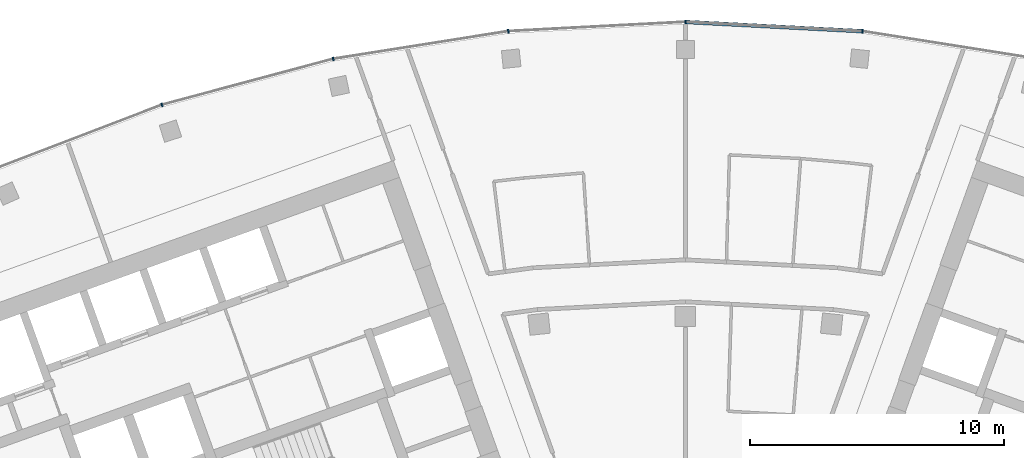
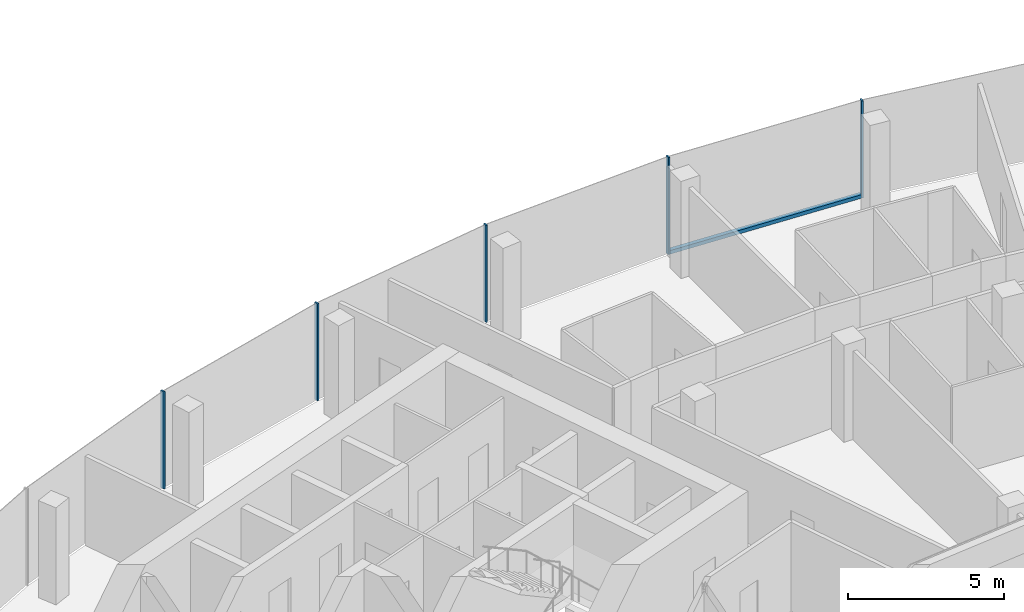
# One storey, part 6 of 18: 6 members, 1 element without a shape of its own.
"""IFC4 building model written with IfcOpenShell, lengths in metres."""

from ifc_helpers import new_model, si_unit, direction, frame, origin, origin_2d, place, context, subcontext, project, spatial, rectangle, extrude, material, layer, layer_set, material_profile, profile_set, type_object, element, aggregate, save


model = new_model("IFC4")

# Units and contexts
model_context = context("Model", 3, precision=1e-05, world=origin(), true_north=direction((0.0, 1.0)))
body_context = subcontext(model_context, "Body", "Model", "MODEL_VIEW")
ifc_project = project(units=[si_unit("LENGTHUNIT", "METRE"), si_unit("AREAUNIT", "SQUARE_METRE"), si_unit("VOLUMEUNIT", "CUBIC_METRE"), si_unit("PLANEANGLEUNIT", "RADIAN"), si_unit("MASSUNIT", "GRAM", prefix="KILO")], contexts=[model_context])

# Site, building, storey
site_placement = place(None, origin())
site = spatial("IfcSite", under=ifc_project, at=site_placement, CompositionType="ELEMENT")
building_placement = place(site_placement, origin())
building = spatial("IfcBuilding", under=site, at=building_placement, Name="Stone Belt Terrace Tower", CompositionType="ELEMENT")
storey_placement = place(building_placement, frame((0.0, 0.0, 277.0)))
storey = spatial("IfcBuildingStorey", under=building, at=storey_placement, Name="L67", CompositionType="ELEMENT", Elevation=277.0)

# Curtain wall, members
ifc_material = material(Name="Aluminium 6063-T6 anodised frame", Category="aluminium")
ifc_layer = layer(ifc_material, 0.14990234375)
ifc_layer_set = layer_set([ifc_layer], Name="CW-A unitised convex-face curtain wall")
curtain_wall_type = type_object("IfcCurtainWallType", Name="CW-A unitised convex-face curtain wall", PredefinedType="NOTDEFINED", material=ifc_layer_set)
curtain_wall_placement = place(storey_placement, origin())
curtain_wall = element("IfcCurtainWall", 1, at=curtain_wall_placement, inside=storey, type_object=curtain_wall_type, Name="CW-A convex face L67", PredefinedType="NOTDEFINED")
ifc_material_profile_1 = material_profile(ifc_material, rectangle(XDim=0.14990234375, YDim=0.06005859375, at=origin_2d()), Name="Aluminium 6063-T6 60x150")
ifc_profile_set_1 = profile_set([ifc_material_profile_1], Name="Aluminium 6063-T6 anodised frame")
member_type_1 = type_object("IfcMemberType", Name="CW-A mullion 60 x 150", PredefinedType="MULLION", material=ifc_profile_set_1)
member_1_placement = place(storey_placement, frame((6.958984375, 66.21044921875, 0.0), z_axis=(0.0, 0.0, 1.0), x_axis=(-0.104528463268, -0.994521895368, 0.0)))
member_1 = element("IfcMember", 2, at=member_1_placement, type_object=member_type_1, Name="CW-A mullion 7", PredefinedType="MULLION", context=body_context, shape_type="SweptSolid", body=[
    extrude(rectangle(XDim=0.14990234375, YDim=0.06005859375, at=origin_2d()), origin(), (0.0, 0.0, 1.0), 3.800048828125),
])
member_2_placement = place(storey_placement, frame((0.0, 66.5751953125, 0.0), z_axis=(0.0, 0.0, 1.0), x_axis=(0.0, -1.0, 0.0)))
member_2 = element("IfcMember", 3, at=member_2_placement, type_object=member_type_1, Name="CW-A mullion 8", PredefinedType="MULLION", context=body_context, shape_type="SweptSolid", body=[
    extrude(rectangle(XDim=0.14990234375, YDim=0.06005859375, at=origin_2d()), origin(), (0.0, 0.0, 1.0), 3.800048828125),
])
member_3_placement = place(storey_placement, frame((-6.958984375, 66.21044921875, 0.0), z_axis=(0.0, 0.0, 1.0), x_axis=(0.104528463268, -0.994521895368, 0.0)))
member_3 = element("IfcMember", 4, at=member_3_placement, type_object=member_type_1, Name="CW-A mullion 9", PredefinedType="MULLION", context=body_context, shape_type="SweptSolid", body=[
    extrude(rectangle(XDim=0.14990234375, YDim=0.06005859375, at=origin_2d()), origin(), (0.0, 0.0, 1.0), 3.800048828125),
])
member_4_placement = place(storey_placement, frame((-13.841796875, 65.120361328125, 0.0), z_axis=(0.0, 0.0, 1.0), x_axis=(0.207911690818, -0.978147600734, 0.0)))
member_4 = element("IfcMember", 5, at=member_4_placement, type_object=member_type_1, Name="CW-A mullion 10", PredefinedType="MULLION", context=body_context, shape_type="SweptSolid", body=[
    extrude(rectangle(XDim=0.14990234375, YDim=0.06005859375, at=origin_2d()), origin(), (0.0, 0.0, 1.0), 3.800048828125),
])
member_5_placement = place(storey_placement, frame((-20.57275390625, 63.316650390625, 0.0), z_axis=(0.0, 0.0, 1.0), x_axis=(0.309016994375, -0.951056516295, 0.0)))
member_5 = element("IfcMember", 6, at=member_5_placement, type_object=member_type_1, Name="CW-A mullion 11", PredefinedType="MULLION", context=body_context, shape_type="SweptSolid", body=[
    extrude(rectangle(XDim=0.14990234375, YDim=0.06005859375, at=origin_2d()), origin(), (0.0, 0.0, 1.0), 3.800048828125),
])
ifc_material_profile_2 = material_profile(ifc_material, rectangle(XDim=0.14990234375, YDim=0.139892578125, at=origin_2d()), Name="Aluminium 6063-T6 150x140")
ifc_profile_set_2 = profile_set([ifc_material_profile_2], Name="Aluminium 6063-T6 anodised frame")
member_type_2 = type_object("IfcMemberType", Name="CW-A transom 140 x 150", PredefinedType="USERDEFINED", material=ifc_profile_set_2)
member_6_placement = place(storey_placement, frame((6.925048828125, 66.212158203125, 0.070068359375), z_axis=(-0.998630019135, 0.052326712899, 0.0), x_axis=(-0.052326712899, -0.998630019135, 0.0)))
member_6 = element("IfcMember", 7, at=member_6_placement, type_object=member_type_2, Name="CW-A transom 7.1", ObjectType="TRANSOM", PredefinedType="USERDEFINED", context=body_context, shape_type="SweptSolid", body=[
    extrude(rectangle(XDim=0.14990234375, YDim=0.139892578125, at=origin_2d()), origin(), (0.0, 0.0, 1.0), 6.900634765625),
])
aggregate(curtain_wall, [member_1, member_2, member_3, member_4, member_5, member_6])

save(model, "model.ifc")
